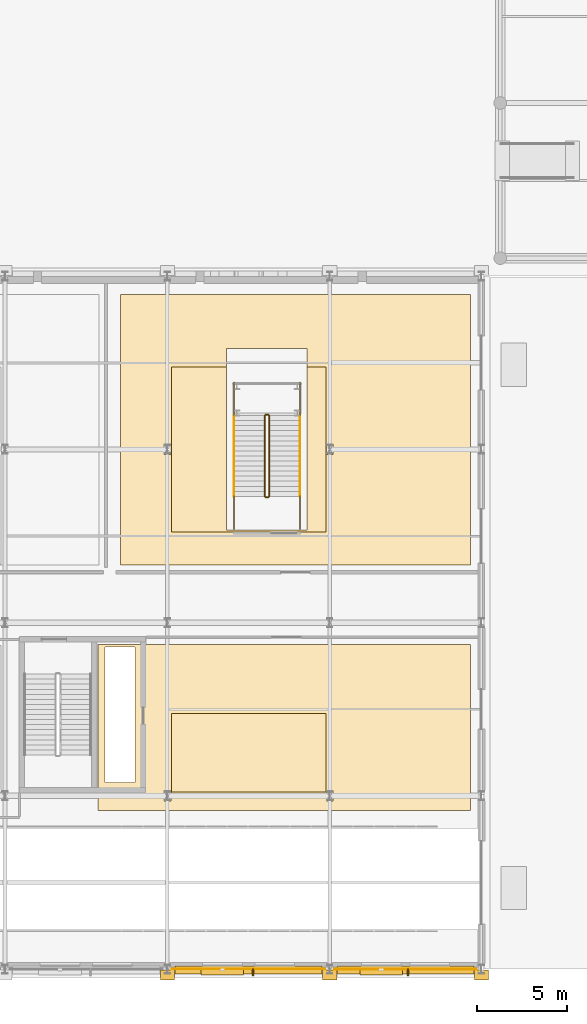
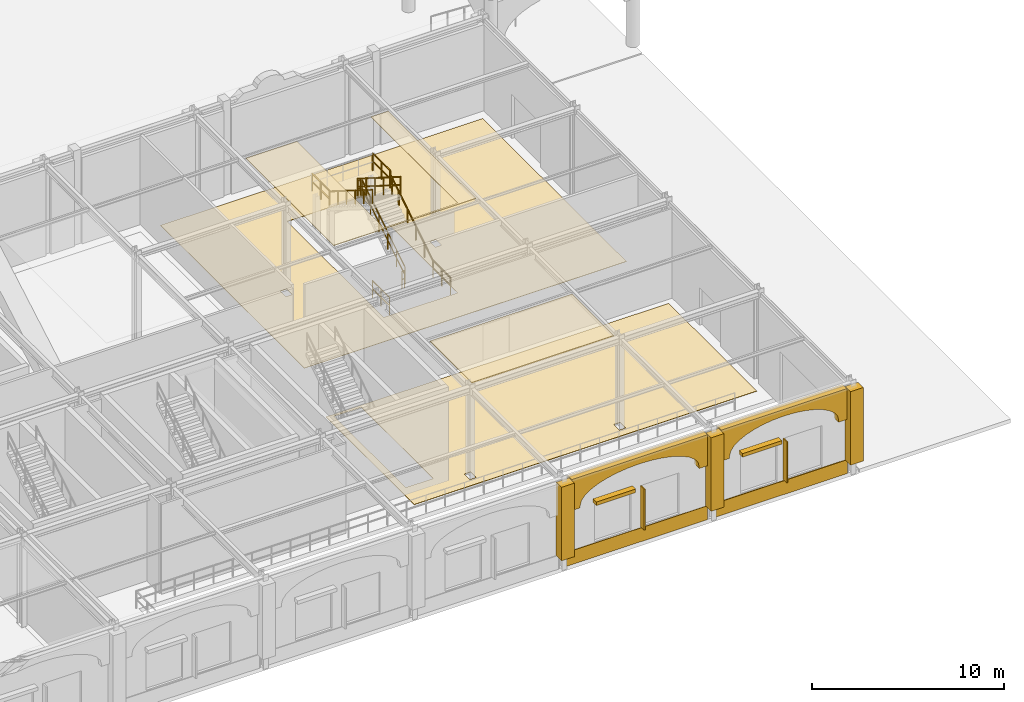
# One storey, part 102 of 113: 11 coverings, 10 railings, 4 shading devices.
"""IFC4 building model written with IfcOpenShell, lengths in metres."""

from ifc_helpers import new_model, si_unit, direction, frame, origin, origin_2d, place, context, subcontext, project, spatial, polyline, rectangle, outline, extrude, material, layer, layer_set, type_object, element, save


model = new_model("IFC4")

# Units and contexts
model_context = context("Model", 3, precision=1e-05, world=origin(), true_north=direction((0.0, 1.0)))
body_context = subcontext(model_context, "Body", "Model", "MODEL_VIEW")
ifc_project = project(units=[si_unit("LENGTHUNIT", "METRE"), si_unit("AREAUNIT", "SQUARE_METRE"), si_unit("VOLUMEUNIT", "CUBIC_METRE"), si_unit("PLANEANGLEUNIT", "RADIAN"), si_unit("MASSUNIT", "GRAM", prefix="KILO")], contexts=[model_context])

# Site, building, storey
site_placement = place(None, origin())
site = spatial("IfcSite", under=ifc_project, at=site_placement, CompositionType="ELEMENT")
building_placement = place(site_placement, origin())
building = spatial("IfcBuilding", under=site, at=building_placement, Name="Myrtia Square Station", CompositionType="ELEMENT")
storey_placement = place(building_placement, origin())
storey = spatial("IfcBuildingStorey", under=building, at=storey_placement, Name="L00", CompositionType="ELEMENT", Elevation=0.0)

# Coverings
ifc_material_1 = material(Name="Pentelic marble ashlar", Category="masonry")
ifc_layer_1 = layer(ifc_material_1, 0.4599609375, Name="Pentelic marble ashlar")
ifc_layer_set_1 = layer_set([ifc_layer_1], Name="Pentelic marble ashlar")
covering_type_1 = type_object("IfcCoveringType", Name="COV-ARCH-ASHLAR", PredefinedType="CLADDING", material=ifc_layer_set_1)
covering_1_placement = place(storey_placement, frame((162.419921875, -0.050048828125, 3.64990234375), z_axis=(0.0, 0.0, 1.0), x_axis=(1.0, 0.0, 0.0)))
element("IfcCovering", 1, at=covering_1_placement, inside=storey, type_object=covering_type_1, Name="South street facade arch spandrel 024", PredefinedType="CLADDING", context=body_context, shape_type="SweptSolid", body=[
    extrude(outline(polyline([(0.0, 0.0), (0.5, 0.0), (0.5, 0.150146484375), (0.56884765625, 0.42333984375), (0.7724609375, 0.685791015625), (1.103271484375, 0.927978515625), (1.548583984375, 1.14013671875), (2.091064453125, 1.314208984375), (2.7099609375, 1.443603515625), (3.381591796875, 1.523193359375), (4.080078125, 1.550048828125), (4.778564453125, 1.523193359375), (5.4501953125, 1.443603515625), (6.069091796875, 1.314208984375), (6.611572265625, 1.14013671875), (7.056884765625, 0.927978515625), (7.3876953125, 0.685791015625), (7.59130859375, 0.42333984375), (7.66015625, 0.150146484375), (7.66015625, 0.0), (8.16015625, 0.0), (8.16015625, 1.97021484375), (0.0, 1.97021484375), (0.0, 0.0)])), frame((0.0, 0.22998046875, 0.0), z_axis=(0.0, -1.0, 0.0), x_axis=(1.0, 0.0, 0.0)), (0.0, 0.0, 1.0), 0.4599609375),
])
covering_2_placement = place(storey_placement, frame((171.419921875, -0.050048828125, 3.64990234375), z_axis=(0.0, 0.0, 1.0), x_axis=(1.0, 0.0, 0.0)))
element("IfcCovering", 2, at=covering_2_placement, inside=storey, type_object=covering_type_1, Name="South street facade arch spandrel 026", PredefinedType="CLADDING", context=body_context, shape_type="SweptSolid", body=[
    extrude(outline(polyline([(0.0, 0.0), (0.5, 0.0), (0.5, 0.150146484375), (0.56298828125, 0.42333984375), (0.749755859375, 0.685791015625), (1.052734375, 0.927978515625), (1.460693359375, 1.14013671875), (1.957763671875, 1.314208984375), (2.52490234375, 1.443603515625), (3.14013671875, 1.523193359375), (3.780029296875, 1.550048828125), (4.419921875, 1.523193359375), (5.03515625, 1.443603515625), (5.602294921875, 1.314208984375), (6.099365234375, 1.14013671875), (6.50732421875, 0.927978515625), (6.810302734375, 0.685791015625), (6.9970703125, 0.42333984375), (7.06005859375, 0.150146484375), (7.06005859375, 0.0), (7.56005859375, 0.0), (7.56005859375, 1.97021484375), (0.0, 1.97021484375), (0.0, 0.0)])), frame((0.0, 0.22998046875, 0.0), z_axis=(0.0, -1.0, 0.0), x_axis=(1.0, 0.0, 0.0)), (0.0, 0.0, 1.0), 0.4599609375),
])
for number, where, z_axis, x_axis, name in (
    (3, (162.0, -0.320068359375, 0.919921875), (0.0, 0.0, 1.0), (1.0, 0.0, 0.0), "Classical Pentelic ashlar pilaster 041"),
    (4, (171.0, -0.320068359375, 0.919921875), (0.0, 0.0, 1.0), (1.0, 0.0, 0.0), "Classical Pentelic ashlar pilaster 047"),
    (5, (179.39990234375, -0.320068359375, 0.919921875), (0.0, 0.0, 1.0), (1.0, 0.0, 0.0), "Classical Pentelic ashlar pilaster 051"),
):
    element("IfcCovering", number, at=place(storey_placement, frame(where, z_axis=z_axis, x_axis=x_axis)), inside=storey, type_object=covering_type_1, Name=name, PredefinedType="CLADDING", context=body_context, shape_type="SweptSolid", body=[
        extrude(rectangle(XDim=0.780029296875, YDim=0.56005859375, at=origin_2d()), origin(), (0.0, 0.0, 1.0), 4.679931640625),
    ])
ifc_material_2 = material(Name="Acoustic European oak timber", Category="wood")
ifc_layer_2 = layer(ifc_material_2, 0.044921875, Name="Acoustic European oak timber")
ifc_layer_set_2 = layer_set([ifc_layer_2], Name="Acoustic European oak timber")
covering_type_2 = type_object("IfcCoveringType", Name="COV-CEIL-OAK", PredefinedType="CEILING", material=ifc_layer_set_2)
covering_3_placement = place(storey_placement, frame((0.0, 0.0, 5.705078125)))
element("IfcCovering", 6, at=covering_3_placement, inside=storey, type_object=covering_type_2, Name="Acoustic coffer ceiling L00-11", PredefinedType="CEILING", context=body_context, shape_type="SweptSolid", body=[
    extrude(outline(polyline([(165.2900390625, 24.330078125), (169.75, 24.330078125), (169.75, 33.3798828125), (170.780029296875, 33.3798828125), (170.780029296875, 28.85009765625), (170.781005859375, 28.828369140625), (170.7841796875, 28.80712890625), (170.785888671875, 28.800048828125), (170.7841796875, 28.79296875), (170.781005859375, 28.771484375), (170.780029296875, 28.75), (170.780029296875, 24.219970703125), (162.219970703125, 24.219970703125), (162.219970703125, 28.75), (162.218994140625, 28.771484375), (162.2158203125, 28.79296875), (162.214111328125, 28.800048828125), (162.2158203125, 28.80712890625), (162.218994140625, 28.828369140625), (162.219970703125, 28.85009765625), (162.219970703125, 33.3798828125), (165.2900390625, 33.3798828125), (165.2900390625, 24.330078125)])), origin(), (0.0, 0.0, 1.0), 0.044921875),
])
covering_4_placement = place(storey_placement, frame((0.0, 0.0, 5.705078125)))
element("IfcCovering", 7, at=covering_4_placement, inside=storey, type_object=covering_type_2, Name="Acoustic coffer ceiling L00-13", PredefinedType="CEILING", context=body_context, shape_type="SweptSolid", body=[
    extrude(outline(polyline([(170.780029296875, 9.820068359375), (162.219970703125, 9.820068359375), (162.219970703125, 14.179931640625), (170.780029296875, 14.179931640625), (170.780029296875, 9.820068359375)])), origin(), (0.0, 0.0, 1.0), 0.044921875),
])
ifc_layer_3 = layer(ifc_material_1, 0.050048828125, Name="Pentelic marble ashlar")
ifc_layer_set_3 = layer_set([ifc_layer_3], Name="Pentelic marble ashlar")
covering_type_3 = type_object("IfcCoveringType", Name="COV-CLAD-ASHLAR", PredefinedType="CLADDING", material=ifc_layer_set_3)
covering_5_placement = place(storey_placement, frame((175.199951171875, -0.0048828125, 0.0), z_axis=(0.0, 0.0, 1.0), x_axis=(1.0, 0.0, 0.0)))
element("IfcCovering", 8, at=covering_5_placement, inside=storey, type_object=covering_type_3, Name="Spanish Colonial Revival dado cladding 017", PredefinedType="CLADDING", context=body_context, shape_type="SweptSolid", body=[
    extrude(rectangle(XDim=7.889892578125, YDim=0.050048828125, at=origin_2d()), origin(), (0.0, 0.0, 1.0), 0.8798828125),
])
ifc_material_3 = material(Name="Polychrome glazed ceramic tile", Category="masonry")
ifc_layer_4 = layer(ifc_material_3, 0.034912109375, Name="Polychrome glazed ceramic tile")
ifc_layer_set_4 = layer_set([ifc_layer_4], Name="Polychrome glazed ceramic tile")
covering_type_4 = type_object("IfcCoveringType", Name="COV-CLAD-FAIENCE", PredefinedType="CLADDING", material=ifc_layer_set_4)
covering_6_placement = place(storey_placement, frame((166.5, 0.00244140625, 0.0), z_axis=(0.0, 0.0, 1.0), x_axis=(1.0, 0.0, 0.0)))
element("IfcCovering", 9, at=covering_6_placement, inside=storey, type_object=covering_type_4, Name="Spanish Colonial Revival dado cladding 016", PredefinedType="CLADDING", context=body_context, shape_type="SweptSolid", body=[
    extrude(rectangle(XDim=8.489990234375, YDim=0.034912109375, at=origin_2d()), origin(), (0.0, 0.0, 1.0), 0.8798828125),
])
ifc_material_4 = material(Name="Terrazzo stone tile", Category="masonry")
ifc_layer_5 = layer(ifc_material_4, 0.02490234375, Name="Terrazzo stone tile")
ifc_layer_set_5 = layer_set([ifc_layer_5], Name="Terrazzo stone tile")
covering_type_5 = type_object("IfcCoveringType", Name="COV-FLR-TERRAZZO", PredefinedType="FLOORING", material=ifc_layer_set_5)
covering_7_placement = place(storey_placement, origin())
element("IfcCovering", 10, at=covering_7_placement, inside=storey, type_object=covering_type_5, Name="Terrazzo room flooring L00-11", PredefinedType="FLOORING", context=body_context, shape_type="SweptSolid", body=[
    extrude(outline(polyline([(159.39990234375, 37.39990234375), (178.800048828125, 37.39990234375), (178.800048828125, 22.39990234375), (159.39990234375, 22.39990234375), (159.39990234375, 37.39990234375)]), holes=[polyline([(162.18994140625, 28.510009765625), (162.18994140625, 29.090087890625), (161.81005859375, 29.090087890625), (161.81005859375, 28.510009765625), (162.18994140625, 28.510009765625)]), polyline([(171.18994140625, 29.090087890625), (170.81005859375, 29.090087890625), (170.81005859375, 28.510009765625), (171.18994140625, 28.510009765625), (171.18994140625, 29.090087890625)]), polyline([(169.75, 34.39990234375), (165.2900390625, 34.39990234375), (165.2900390625, 24.330078125), (169.75, 24.330078125), (169.75, 34.39990234375)])]), origin(), (0.0, 0.0, 1.0), 0.02490234375),
])
covering_8_placement = place(storey_placement, origin())
element("IfcCovering", 11, at=covering_8_placement, inside=storey, type_object=covering_type_5, Name="Terrazzo room flooring L00-13", PredefinedType="FLOORING", context=body_context, shape_type="SweptSolid", body=[
    extrude(outline(polyline([(178.800048828125, 18.0), (178.800048828125, 8.800048828125), (158.159912109375, 8.800048828125), (158.159912109375, 18.0), (178.800048828125, 18.0)]), holes=[polyline([(158.550048828125, 10.35009765625), (160.199951171875, 10.35009765625), (160.199951171875, 17.85009765625), (158.550048828125, 17.85009765625), (158.550048828125, 10.35009765625)]), polyline([(162.18994140625, 9.889892578125), (161.81005859375, 9.889892578125), (161.81005859375, 9.31005859375), (162.18994140625, 9.31005859375), (162.18994140625, 9.889892578125)]), polyline([(171.18994140625, 9.889892578125), (170.81005859375, 9.889892578125), (170.81005859375, 9.31005859375), (171.18994140625, 9.31005859375), (171.18994140625, 9.889892578125)])]), origin(), (0.0, 0.0, 1.0), 0.02490234375),
])

# Railings
ifc_material_5 = material(Name="Dark bronze anodised aluminium", Category="aluminium")
railing_type_1 = type_object("IfcRailingType", Name="RL-HANDRAIL-900", PredefinedType="HANDRAIL", material=ifc_material_5)
railing_1_placement = place(storey_placement, frame((169.35009765625, 26.199951171875, 0.176513671875)))
element("IfcRailing", 12, at=railing_1_placement, inside=storey, type_object=railing_type_1, Name="L00 ST71 stair handrail 1", PredefinedType="HANDRAIL", context=body_context, shape_type="SweptSolid", body=[
    extrude(rectangle(XDim=0.048095703125, YDim=0.048095703125, at=origin_2d()), frame((0.0, 0.029296875, 0.894287109375), z_axis=(0.0, 0.845997938375, 0.533186166611), x_axis=(-1.0, 0.0, 0.0)), (0.0, 0.0, 1.0), 0.98974609375),
    extrude(rectangle(XDim=0.048095703125, YDim=0.048095703125, at=origin_2d()), frame((0.0, 0.92529296875, 1.458984375), z_axis=(0.0, 0.845997938375, 0.533186166611), x_axis=(-1.0, 0.0, 0.0)), (0.0, 0.0, 1.0), 0.98974609375),
    extrude(rectangle(XDim=0.048095703125, YDim=0.048095703125, at=origin_2d()), frame((0.0, 1.8212890625, 2.023681640625), z_axis=(0.0, 0.845997938375, 0.533186166611), x_axis=(-1.0, 0.0, 0.0)), (0.0, 0.0, 1.0), 0.98974609375),
    extrude(rectangle(XDim=0.048095703125, YDim=0.048095703125, at=origin_2d()), frame((0.0, 2.71728515625, 2.58837890625), z_axis=(0.0, 0.845997938375, 0.533186166611), x_axis=(-1.0, 0.0, 0.0)), (0.0, 0.0, 1.0), 0.98974609375),
    extrude(rectangle(XDim=0.048095703125, YDim=0.048095703125, at=origin_2d()), frame((0.0, 3.61328125, 3.153076171875), z_axis=(0.0, 0.845997938375, 0.533186166611), x_axis=(-1.0, 0.0, 0.0)), (0.0, 0.0, 1.0), 0.98974609375),
    extrude(rectangle(XDim=0.0439453125, YDim=0.0439453125, at=origin_2d()), origin(), (0.0, 0.0, 1.0), 0.89990234375),
    extrude(rectangle(XDim=0.0439453125, YDim=0.0439453125, at=origin_2d()), frame((0.0, 0.89599609375, 0.564697265625)), (0.0, 0.0, 1.0), 0.89990234375),
    extrude(rectangle(XDim=0.0439453125, YDim=0.0439453125, at=origin_2d()), frame((0.0, 1.7919921875, 1.12939453125)), (0.0, 0.0, 1.0), 0.89990234375),
    extrude(rectangle(XDim=0.0439453125, YDim=0.0439453125, at=origin_2d()), frame((0.0, 2.68798828125, 1.694091796875)), (0.0, 0.0, 1.0), 0.89990234375),
    extrude(rectangle(XDim=0.0439453125, YDim=0.0439453125, at=origin_2d()), frame((0.0, 3.583984375, 2.2587890625)), (0.0, 0.0, 1.0), 0.89990234375),
    extrude(rectangle(XDim=0.0439453125, YDim=0.0439453125, at=origin_2d()), frame((0.0, 4.47998046875, 2.823486328125)), (0.0, 0.0, 1.0), 0.89990234375),
])
railing_2_placement = place(storey_placement, frame((165.68994140625, 30.679931640625, 3.176513671875)))
element("IfcRailing", 13, at=railing_2_placement, inside=storey, type_object=railing_type_1, Name="L00 ST71 stair handrail 2", PredefinedType="HANDRAIL", context=body_context, shape_type="SweptSolid", body=[
    extrude(rectangle(XDim=0.048095703125, YDim=0.048095703125, at=origin_2d()), frame((0.0, -0.029296875, 0.894287109375), z_axis=(0.0, -0.845997938375, 0.533186166611), x_axis=(1.0, 0.0, 0.0)), (0.0, 0.0, 1.0), 0.98974609375),
    extrude(rectangle(XDim=0.048095703125, YDim=0.048095703125, at=origin_2d()), frame((0.0, -0.92529296875, 1.458984375), z_axis=(0.0, -0.845997938375, 0.533186166611), x_axis=(1.0, 0.0, 0.0)), (0.0, 0.0, 1.0), 0.98974609375),
    extrude(rectangle(XDim=0.048095703125, YDim=0.048095703125, at=origin_2d()), frame((0.0, -1.8212890625, 2.023681640625), z_axis=(0.0, -0.845997938375, 0.533186166611), x_axis=(1.0, 0.0, 0.0)), (0.0, 0.0, 1.0), 0.98974609375),
    extrude(rectangle(XDim=0.048095703125, YDim=0.048095703125, at=origin_2d()), frame((0.0, -2.71728515625, 2.58837890625), z_axis=(0.0, -0.845997938375, 0.533186166611), x_axis=(1.0, 0.0, 0.0)), (0.0, 0.0, 1.0), 0.98974609375),
    extrude(rectangle(XDim=0.048095703125, YDim=0.048095703125, at=origin_2d()), frame((0.0, -3.61328125, 3.153076171875), z_axis=(0.0, -0.845997938375, 0.533186166611), x_axis=(1.0, 0.0, 0.0)), (0.0, 0.0, 1.0), 0.98974609375),
    extrude(rectangle(XDim=0.0439453125, YDim=0.0439453125, at=origin_2d()), origin(), (0.0, 0.0, 1.0), 0.89990234375),
    extrude(rectangle(XDim=0.0439453125, YDim=0.0439453125, at=origin_2d()), frame((0.0, -0.89599609375, 0.564697265625)), (0.0, 0.0, 1.0), 0.89990234375),
    extrude(rectangle(XDim=0.0439453125, YDim=0.0439453125, at=origin_2d()), frame((0.0, -1.7919921875, 1.12939453125)), (0.0, 0.0, 1.0), 0.89990234375),
    extrude(rectangle(XDim=0.0439453125, YDim=0.0439453125, at=origin_2d()), frame((0.0, -2.68798828125, 1.694091796875)), (0.0, 0.0, 1.0), 0.89990234375),
    extrude(rectangle(XDim=0.0439453125, YDim=0.0439453125, at=origin_2d()), frame((0.0, -3.583984375, 2.2587890625)), (0.0, 0.0, 1.0), 0.89990234375),
    extrude(rectangle(XDim=0.0439453125, YDim=0.0439453125, at=origin_2d()), frame((0.0, -4.47998046875, 2.823486328125)), (0.0, 0.0, 1.0), 0.89990234375),
])
ifc_material_6 = material(Name="Wrought iron", Category="steel")
railing_type_2 = type_object("IfcRailingType", Name="RL-INT-GUARD-1100", PredefinedType="BALUSTRADE", material=ifc_material_6)
railing_3_placement = place(storey_placement, frame((167.64990234375, 26.199951171875, 0.176513671875)))
element("IfcRailing", 14, at=railing_3_placement, inside=storey, type_object=railing_type_2, Name="L00 ST71 stair guard 1", PredefinedType="BALUSTRADE", context=body_context, shape_type="SweptSolid", body=[
    extrude(rectangle(XDim=0.048095703125, YDim=0.048095703125, at=origin_2d()), frame((0.0, 0.029296875, 1.114501953125), z_axis=(0.0, 0.845997938375, 0.533186166611), x_axis=(-1.0, 0.0, 0.0)), (0.0, 0.0, 1.0), 0.98974609375),
    extrude(rectangle(XDim=0.048095703125, YDim=0.048095703125, at=origin_2d()), frame((0.0, 0.029296875, 0.600830078125), z_axis=(0.0, 0.845997938375, 0.533186166611), x_axis=(-1.0, 0.0, 0.0)), (0.0, 0.0, 1.0), 0.98974609375),
    extrude(rectangle(XDim=0.048095703125, YDim=0.048095703125, at=origin_2d()), frame((0.0, 0.92529296875, 1.67919921875), z_axis=(0.0, 0.845997938375, 0.533186166611), x_axis=(-1.0, 0.0, 0.0)), (0.0, 0.0, 1.0), 0.98974609375),
    extrude(rectangle(XDim=0.048095703125, YDim=0.048095703125, at=origin_2d()), frame((0.0, 0.92529296875, 1.16552734375), z_axis=(0.0, 0.845997938375, 0.533186166611), x_axis=(-1.0, 0.0, 0.0)), (0.0, 0.0, 1.0), 0.98974609375),
    extrude(rectangle(XDim=0.048095703125, YDim=0.048095703125, at=origin_2d()), frame((0.0, 1.8212890625, 2.243896484375), z_axis=(0.0, 0.845997938375, 0.533186166611), x_axis=(-1.0, 0.0, 0.0)), (0.0, 0.0, 1.0), 0.98974609375),
    extrude(rectangle(XDim=0.048095703125, YDim=0.048095703125, at=origin_2d()), frame((0.0, 1.8212890625, 1.730224609375), z_axis=(0.0, 0.845997938375, 0.533186166611), x_axis=(-1.0, 0.0, 0.0)), (0.0, 0.0, 1.0), 0.98974609375),
    extrude(rectangle(XDim=0.048095703125, YDim=0.048095703125, at=origin_2d()), frame((0.0, 2.71728515625, 2.80859375), z_axis=(0.0, 0.845997938375, 0.533186166611), x_axis=(-1.0, 0.0, 0.0)), (0.0, 0.0, 1.0), 0.98974609375),
    extrude(rectangle(XDim=0.048095703125, YDim=0.048095703125, at=origin_2d()), frame((0.0, 2.71728515625, 2.294921875), z_axis=(0.0, 0.845997938375, 0.533186166611), x_axis=(-1.0, 0.0, 0.0)), (0.0, 0.0, 1.0), 0.98974609375),
    extrude(rectangle(XDim=0.048095703125, YDim=0.048095703125, at=origin_2d()), frame((0.0, 3.61328125, 3.373291015625), z_axis=(0.0, 0.845997938375, 0.533186166611), x_axis=(-1.0, 0.0, 0.0)), (0.0, 0.0, 1.0), 0.98974609375),
    extrude(rectangle(XDim=0.048095703125, YDim=0.048095703125, at=origin_2d()), frame((0.0, 3.61328125, 2.859619140625), z_axis=(0.0, 0.845997938375, 0.533186166611), x_axis=(-1.0, 0.0, 0.0)), (0.0, 0.0, 1.0), 0.98974609375),
    extrude(rectangle(XDim=0.0439453125, YDim=0.0439453125, at=origin_2d()), origin(), (0.0, 0.0, 1.0), 1.1201171875),
    extrude(rectangle(XDim=0.0439453125, YDim=0.0439453125, at=origin_2d()), frame((0.0, 0.89599609375, 0.564697265625)), (0.0, 0.0, 1.0), 1.1201171875),
    extrude(rectangle(XDim=0.0439453125, YDim=0.0439453125, at=origin_2d()), frame((0.0, 1.7919921875, 1.12939453125)), (0.0, 0.0, 1.0), 1.1201171875),
    extrude(rectangle(XDim=0.0439453125, YDim=0.0439453125, at=origin_2d()), frame((0.0, 2.68798828125, 1.694091796875)), (0.0, 0.0, 1.0), 1.1201171875),
    extrude(rectangle(XDim=0.0439453125, YDim=0.0439453125, at=origin_2d()), frame((0.0, 3.583984375, 2.2587890625)), (0.0, 0.0, 1.0), 1.1201171875),
    extrude(rectangle(XDim=0.0439453125, YDim=0.0439453125, at=origin_2d()), frame((0.0, 4.47998046875, 2.823486328125)), (0.0, 0.0, 1.0), 1.1201171875),
])
railing_4_placement = place(storey_placement, frame((167.60009765625, 30.72998046875, 3.0)))
element("IfcRailing", 15, at=railing_4_placement, inside=storey, type_object=railing_type_2, Name="L00 ST71 stair guard 2", PredefinedType="BALUSTRADE", context=body_context, shape_type="SweptSolid", body=[
    extrude(rectangle(XDim=0.048095703125, YDim=0.048095703125, at=origin_2d()), frame((-0.03466796875, 0.0, 1.09619140625), z_axis=(-1.0, 0.0, 0.0), x_axis=(0.0, -1.0, 0.0)), (0.0, 0.0, 1.0), 0.0908203125),
    extrude(rectangle(XDim=0.048095703125, YDim=0.048095703125, at=origin_2d()), frame((-0.03466796875, 0.0, 0.58251953125), z_axis=(-1.0, 0.0, 0.0), x_axis=(0.0, -1.0, 0.0)), (0.0, 0.0, 1.0), 0.0908203125),
    extrude(rectangle(XDim=0.0439453125, YDim=0.0439453125, at=origin_2d()), origin(), (0.0, 0.0, 1.0), 1.1201171875),
    extrude(rectangle(XDim=0.0439453125, YDim=0.0439453125, at=origin_2d()), frame((-0.16015625, 0.0, 0.0)), (0.0, 0.0, 1.0), 1.1201171875),
])
for number, where, name in (
    (16, (169.35009765625, 30.679931640625, 3.0), "L00 ST71 stair guard 3"),
    (17, (165.68994140625, 30.679931640625, 3.0), "L00 ST71 stair guard 4"),
):
    element("IfcRailing", number, at=place(storey_placement, frame(where)), inside=storey, type_object=railing_type_2, Name=name, PredefinedType="BALUSTRADE", context=body_context, shape_type="SweptSolid", body=[
        extrude(rectangle(XDim=0.048095703125, YDim=0.048095703125, at=origin_2d()), frame((0.0, 0.03466796875, 1.09619140625), z_axis=(0.0, 1.0, 0.0), x_axis=(-1.0, 0.0, 0.0)), (0.0, 0.0, 1.0), 0.8408203125),
        extrude(rectangle(XDim=0.048095703125, YDim=0.048095703125, at=origin_2d()), frame((0.0, 0.03466796875, 0.58251953125), z_axis=(0.0, 1.0, 0.0), x_axis=(-1.0, 0.0, 0.0)), (0.0, 0.0, 1.0), 0.8408203125),
        extrude(rectangle(XDim=0.048095703125, YDim=0.048095703125, at=origin_2d()), frame((0.0, 0.944580078125, 1.09619140625), z_axis=(0.0, 1.0, 0.0), x_axis=(-1.0, 0.0, 0.0)), (0.0, 0.0, 1.0), 0.8408203125),
        extrude(rectangle(XDim=0.048095703125, YDim=0.048095703125, at=origin_2d()), frame((0.0, 0.944580078125, 0.58251953125), z_axis=(0.0, 1.0, 0.0), x_axis=(-1.0, 0.0, 0.0)), (0.0, 0.0, 1.0), 0.8408203125),
        extrude(rectangle(XDim=0.0439453125, YDim=0.0439453125, at=origin_2d()), origin(), (0.0, 0.0, 1.0), 1.1201171875),
        extrude(rectangle(XDim=0.0439453125, YDim=0.0439453125, at=origin_2d()), frame((0.0, 0.91015625, 0.0)), (0.0, 0.0, 1.0), 1.1201171875),
        extrude(rectangle(XDim=0.0439453125, YDim=0.0439453125, at=origin_2d()), frame((0.0, 1.820068359375, 0.0)), (0.0, 0.0, 1.0), 1.1201171875),
    ])
railing_5_placement = place(storey_placement, frame((167.389892578125, 30.679931640625, 3.176513671875)))
element("IfcRailing", 18, at=railing_5_placement, inside=storey, type_object=railing_type_2, Name="L00 ST71 stair guard 6", PredefinedType="BALUSTRADE", context=body_context, shape_type="SweptSolid", body=[
    extrude(rectangle(XDim=0.048095703125, YDim=0.048095703125, at=origin_2d()), frame((0.0, -0.029296875, 1.114501953125), z_axis=(0.0, -0.845997938375, 0.533186166611), x_axis=(1.0, 0.0, 0.0)), (0.0, 0.0, 1.0), 0.98974609375),
    extrude(rectangle(XDim=0.048095703125, YDim=0.048095703125, at=origin_2d()), frame((0.0, -0.029296875, 0.600830078125), z_axis=(0.0, -0.845997938375, 0.533186166611), x_axis=(1.0, 0.0, 0.0)), (0.0, 0.0, 1.0), 0.98974609375),
    extrude(rectangle(XDim=0.048095703125, YDim=0.048095703125, at=origin_2d()), frame((0.0, -0.92529296875, 1.67919921875), z_axis=(0.0, -0.845997938375, 0.533186166611), x_axis=(1.0, 0.0, 0.0)), (0.0, 0.0, 1.0), 0.98974609375),
    extrude(rectangle(XDim=0.048095703125, YDim=0.048095703125, at=origin_2d()), frame((0.0, -0.92529296875, 1.16552734375), z_axis=(0.0, -0.845997938375, 0.533186166611), x_axis=(1.0, 0.0, 0.0)), (0.0, 0.0, 1.0), 0.98974609375),
    extrude(rectangle(XDim=0.048095703125, YDim=0.048095703125, at=origin_2d()), frame((0.0, -1.8212890625, 2.243896484375), z_axis=(0.0, -0.845997938375, 0.533186166611), x_axis=(1.0, 0.0, 0.0)), (0.0, 0.0, 1.0), 0.98974609375),
    extrude(rectangle(XDim=0.048095703125, YDim=0.048095703125, at=origin_2d()), frame((0.0, -1.8212890625, 1.730224609375), z_axis=(0.0, -0.845997938375, 0.533186166611), x_axis=(1.0, 0.0, 0.0)), (0.0, 0.0, 1.0), 0.98974609375),
    extrude(rectangle(XDim=0.048095703125, YDim=0.048095703125, at=origin_2d()), frame((0.0, -2.71728515625, 2.80859375), z_axis=(0.0, -0.845997938375, 0.533186166611), x_axis=(1.0, 0.0, 0.0)), (0.0, 0.0, 1.0), 0.98974609375),
    extrude(rectangle(XDim=0.048095703125, YDim=0.048095703125, at=origin_2d()), frame((0.0, -2.71728515625, 2.294921875), z_axis=(0.0, -0.845997938375, 0.533186166611), x_axis=(1.0, 0.0, 0.0)), (0.0, 0.0, 1.0), 0.98974609375),
    extrude(rectangle(XDim=0.048095703125, YDim=0.048095703125, at=origin_2d()), frame((0.0, -3.61328125, 3.373291015625), z_axis=(0.0, -0.845997938375, 0.533186166611), x_axis=(1.0, 0.0, 0.0)), (0.0, 0.0, 1.0), 0.98974609375),
    extrude(rectangle(XDim=0.048095703125, YDim=0.048095703125, at=origin_2d()), frame((0.0, -3.61328125, 2.859619140625), z_axis=(0.0, -0.845997938375, 0.533186166611), x_axis=(1.0, 0.0, 0.0)), (0.0, 0.0, 1.0), 0.98974609375),
    extrude(rectangle(XDim=0.0439453125, YDim=0.0439453125, at=origin_2d()), origin(), (0.0, 0.0, 1.0), 1.1201171875),
    extrude(rectangle(XDim=0.0439453125, YDim=0.0439453125, at=origin_2d()), frame((0.0, -0.89599609375, 0.564697265625)), (0.0, 0.0, 1.0), 1.1201171875),
    extrude(rectangle(XDim=0.0439453125, YDim=0.0439453125, at=origin_2d()), frame((0.0, -1.7919921875, 1.12939453125)), (0.0, 0.0, 1.0), 1.1201171875),
    extrude(rectangle(XDim=0.0439453125, YDim=0.0439453125, at=origin_2d()), frame((0.0, -2.68798828125, 1.694091796875)), (0.0, 0.0, 1.0), 1.1201171875),
    extrude(rectangle(XDim=0.0439453125, YDim=0.0439453125, at=origin_2d()), frame((0.0, -3.583984375, 2.2587890625)), (0.0, 0.0, 1.0), 1.1201171875),
    extrude(rectangle(XDim=0.0439453125, YDim=0.0439453125, at=origin_2d()), frame((0.0, -4.47998046875, 2.823486328125)), (0.0, 0.0, 1.0), 1.1201171875),
])
railing_6_placement = place(storey_placement, frame((167.60009765625, 26.14990234375, 0.0)))
element("IfcRailing", 19, at=railing_6_placement, inside=storey, type_object=railing_type_2, Name="L00 ST71 stair guard 7", PredefinedType="BALUSTRADE", context=body_context, shape_type="SweptSolid", body=[
    extrude(rectangle(XDim=0.048095703125, YDim=0.048095703125, at=origin_2d()), frame((-0.03466796875, 0.0, 1.09619140625), z_axis=(-1.0, 0.0, 0.0), x_axis=(0.0, -1.0, 0.0)), (0.0, 0.0, 1.0), 0.0908203125),
    extrude(rectangle(XDim=0.048095703125, YDim=0.048095703125, at=origin_2d()), frame((-0.03466796875, 0.0, 0.58251953125), z_axis=(-1.0, 0.0, 0.0), x_axis=(0.0, -1.0, 0.0)), (0.0, 0.0, 1.0), 0.0908203125),
    extrude(rectangle(XDim=0.0439453125, YDim=0.0439453125, at=origin_2d()), origin(), (0.0, 0.0, 1.0), 1.1201171875),
    extrude(rectangle(XDim=0.0439453125, YDim=0.0439453125, at=origin_2d()), frame((-0.16015625, 0.0, 0.0)), (0.0, 0.0, 1.0), 1.1201171875),
])
for number, where, name in (
    (20, (169.35009765625, 24.39990234375, 0.0), "L00 ST71 stair guard 8"),
    (21, (165.68994140625, 24.39990234375, 0.0), "L00 ST71 stair guard 9"),
):
    element("IfcRailing", number, at=place(storey_placement, frame(where)), inside=storey, type_object=railing_type_2, Name=name, PredefinedType="BALUSTRADE", context=body_context, shape_type="SweptSolid", body=[
        extrude(rectangle(XDim=0.048095703125, YDim=0.048095703125, at=origin_2d()), frame((0.0, 0.03466796875, 1.09619140625), z_axis=(0.0, 1.0, 0.0), x_axis=(-1.0, 0.0, 0.0)), (0.0, 0.0, 1.0), 0.830810546875),
        extrude(rectangle(XDim=0.048095703125, YDim=0.048095703125, at=origin_2d()), frame((0.0, 0.03466796875, 0.58251953125), z_axis=(0.0, 1.0, 0.0), x_axis=(-1.0, 0.0, 0.0)), (0.0, 0.0, 1.0), 0.830810546875),
        extrude(rectangle(XDim=0.048095703125, YDim=0.048095703125, at=origin_2d()), frame((0.0, 0.9345703125, 1.09619140625), z_axis=(0.0, 1.0, 0.0), x_axis=(-1.0, 0.0, 0.0)), (0.0, 0.0, 1.0), 0.830810546875),
        extrude(rectangle(XDim=0.048095703125, YDim=0.048095703125, at=origin_2d()), frame((0.0, 0.9345703125, 0.58251953125), z_axis=(0.0, 1.0, 0.0), x_axis=(-1.0, 0.0, 0.0)), (0.0, 0.0, 1.0), 0.830810546875),
        extrude(rectangle(XDim=0.0439453125, YDim=0.0439453125, at=origin_2d()), origin(), (0.0, 0.0, 1.0), 1.1201171875),
        extrude(rectangle(XDim=0.0439453125, YDim=0.0439453125, at=origin_2d()), frame((0.0, 0.89990234375, 0.0)), (0.0, 0.0, 1.0), 1.1201171875),
        extrude(rectangle(XDim=0.0439453125, YDim=0.0439453125, at=origin_2d()), frame((0.0, 1.800048828125, 0.0)), (0.0, 0.0, 1.0), 1.1201171875),
    ])

# Shading devices
shading_device_type_1 = type_object("IfcShadingDeviceType", Name="SHD-FIN-BRONZE", PredefinedType="USERDEFINED", material=ifc_material_5)
for number, where, z_axis, x_axis, name in (
    (22, (166.748046875, -0.169921875, 0.949951171875), (0.0, 0.0, 1.0), (1.0, 0.0, 0.0), "Vertical bronze solar fin SHF-010"),
    (23, (175.347900390625, -0.169921875, 0.949951171875), (0.0, 0.0, 1.0), (1.0, 0.0, 0.0), "Vertical bronze solar fin SHF-011"),
):
    element("IfcShadingDevice", number, at=place(storey_placement, frame(where, z_axis=z_axis, x_axis=x_axis)), inside=storey, type_object=shading_device_type_1, Name=name, ObjectType="FIN", PredefinedType="USERDEFINED", context=body_context, shape_type="SweptSolid", body=[
        extrude(rectangle(XDim=0.080078125, YDim=0.389892578125, at=origin_2d()), origin(), (0.0, 0.0, 1.0), 2.60009765625),
    ])
shading_device_type_2 = type_object("IfcShadingDeviceType", Name="SHD-JALOUSIE-BRONZE", PredefinedType="JALOUSIE", material=ifc_material_5)
for number, where, z_axis, x_axis, name in (
    (24, (165.052001953125, -0.14990234375, 3.490234375), (0.0, 0.0, 1.0), (1.0, 0.0, 0.0), "Mediterranean bronze solar louvre SHL-010"),
    (25, (173.85205078125, -0.14990234375, 3.490234375), (0.0, 0.0, 1.0), (1.0, 0.0, 0.0), "Mediterranean bronze solar louvre SHL-011"),
):
    element("IfcShadingDevice", number, at=place(storey_placement, frame(where, z_axis=z_axis, x_axis=x_axis)), inside=storey, type_object=shading_device_type_2, Name=name, PredefinedType="JALOUSIE", context=body_context, shape_type="SweptSolid", body=[
        extrude(rectangle(XDim=2.360107421875, YDim=0.35009765625, at=origin_2d()), origin(), (0.0, 0.0, 1.0), 0.219970703125),
    ])

save(model, "model.ifc")
